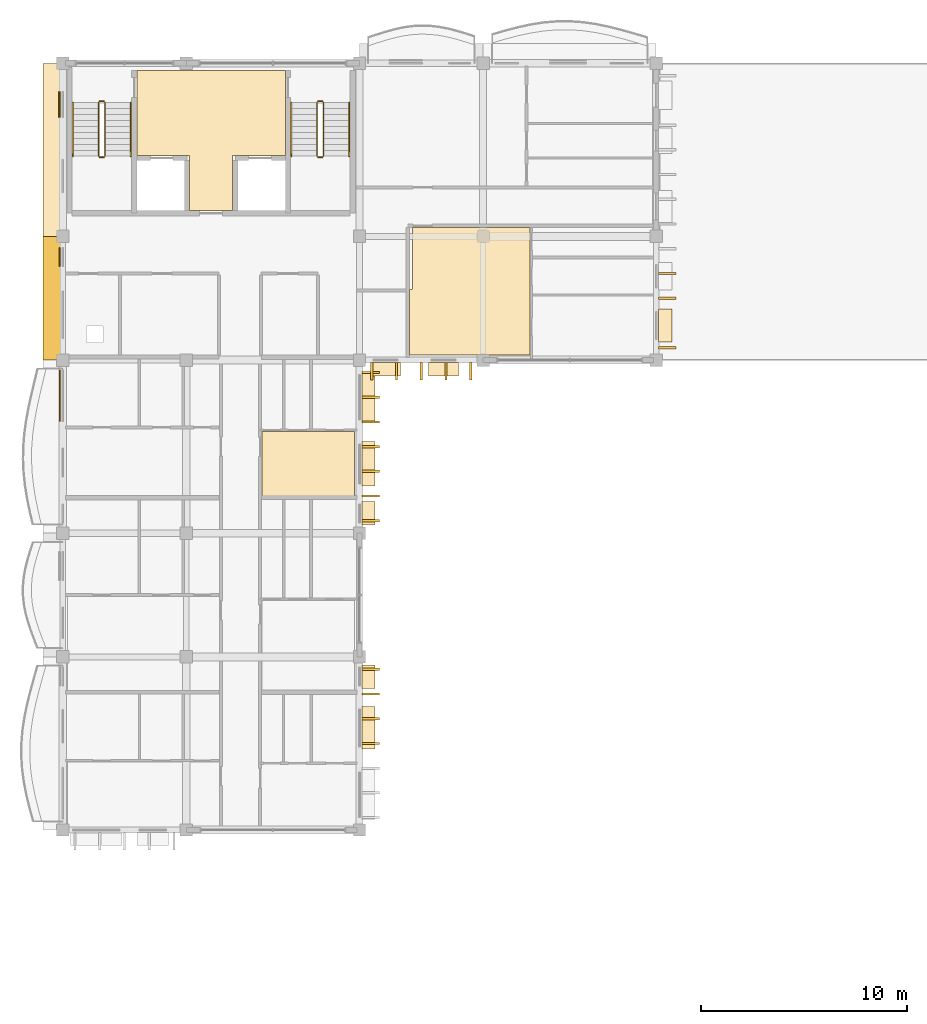
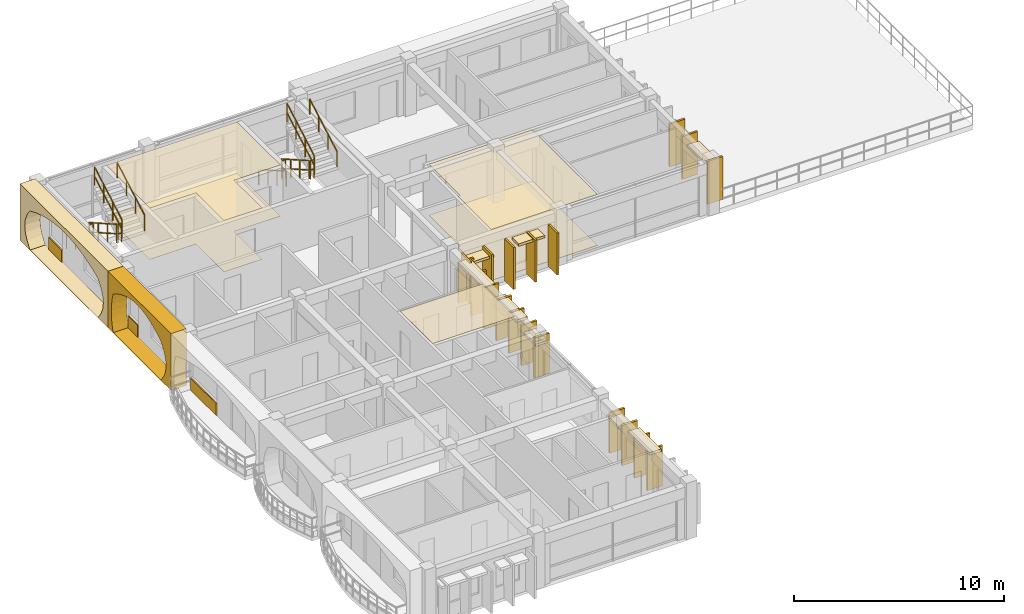
# One storey, part 23 of 31: 37 coverings, 12 railings.
"""IFC4 building model written with IfcOpenShell, lengths in metres."""

from ifc_helpers import new_model, si_unit, direction, frame, origin, origin_2d, place, context, subcontext, project, spatial, polyline, rectangle, outline, extrude, material, layer, layer_set, type_object, element, save


model = new_model("IFC4")

# Units and contexts
model_context = context("Model", 3, precision=1e-05, world=origin(), true_north=direction((0.0, 1.0)))
body_context = subcontext(model_context, "Body", "Model", "MODEL_VIEW")
ifc_project = project(units=[si_unit("LENGTHUNIT", "METRE"), si_unit("AREAUNIT", "SQUARE_METRE"), si_unit("VOLUMEUNIT", "CUBIC_METRE"), si_unit("PLANEANGLEUNIT", "RADIAN"), si_unit("MASSUNIT", "GRAM", prefix="KILO"), si_unit("THERMODYNAMICTEMPERATUREUNIT", "KELVIN")], contexts=[model_context])

# Site, building, storey
site_placement = place(None, origin())
site = spatial("IfcSite", under=ifc_project, at=site_placement, CompositionType="ELEMENT")
building_placement = place(site_placement, origin())
building = spatial("IfcBuilding", under=site, at=building_placement, Name="Thalorik Housing Commons", CompositionType="ELEMENT")
storey_placement = place(building_placement, frame((0.0, 0.0, 37.800048828125)))
storey = spatial("IfcBuildingStorey", under=building, at=storey_placement, Name="L11", CompositionType="ELEMENT", Elevation=37.800048828125)

# Coverings
ifc_material_1 = material(Name="Cobalt blue glazed ceramic facade tile panel", Category="masonry")
ifc_layer_1 = layer(ifc_material_1, 0.06005859375, Name="Cobalt blue glazed ceramic facade tile panel", Category="masonry")
ifc_layer_set_1 = layer_set([ifc_layer_1], Name="Cobalt blue glazed ceramic facade tile panel")
covering_type_1 = type_object("IfcCoveringType", Name="ARC-CLD-BLU-60", PredefinedType="CLADDING", material=ifc_layer_set_1)
covering_1_placement = place(storey_placement, frame((8.25244140625, 107.472412109375, 0.0498046875), z_axis=(0.0, 0.0, 1.0), x_axis=(0.0, -1.0, 0.0)))
element("IfcCovering", 1, at=covering_1_placement, inside=storey, type_object=covering_type_1, Name="L11 De Stijl Recessed Window Spandrel 1139", PredefinedType="CLADDING", context=body_context, shape_type="SweptSolid", body=[
    extrude(rectangle(XDim=2.47998046875, YDim=0.06005859375, at=origin_2d()), origin(), (0.0, 0.0, 1.0), 0.699951171875),
])
ifc_material_2 = material(Name="Precast concrete C40/50", Category="concrete")
ifc_layer_2 = layer(ifc_material_2, 0.85009765625, Name="Precast concrete C40/50", Category="concrete")
ifc_layer_set_2 = layer_set([ifc_layer_2], Name="Precast concrete C40/50")
covering_type_2 = type_object("IfcCoveringType", Name="ARC-CLD-CUSH-850", PredefinedType="CLADDING", material=ifc_layer_set_2)
covering_2_placement = place(storey_placement, frame((7.862548828125, 119.39990234375, 0.0), z_axis=(0.0, 0.0, 1.0), x_axis=(0.0, -1.0, 0.0)))
element("IfcCovering", 2, at=covering_2_placement, inside=storey, type_object=covering_type_2, Name="L11 White Precast Curved Cushion Bay Frame 1134", PredefinedType="CLADDING", context=body_context, shape_type="SweptSolid", body=[
    extrude(outline(polyline([(-4.199951171875, 0.0), (4.199951171875, 0.0), (4.199951171875, 3.300048828125), (-4.199951171875, 3.300048828125), (-4.199951171875, 0.0)]), holes=[polyline([(3.239990234375, 0.02490234375), (3.523193359375, 0.404296875), (3.693359375, 0.783203125), (3.75, 1.16259765625), (3.693359375, 1.541748046875), (3.523193359375, 1.9208984375), (3.239990234375, 2.300048828125), (2.699951171875, 2.525390625), (2.159912109375, 2.7021484375), (1.6201171875, 2.845458984375), (1.080078125, 2.951904296875), (0.5400390625, 3.017822265625), (0.0, 3.0400390625), (-0.5400390625, 3.017822265625), (-1.080078125, 2.951904296875), (-1.6201171875, 2.845458984375), (-2.159912109375, 2.7021484375), (-2.699951171875, 2.525390625), (-3.239990234375, 2.300048828125), (-3.523193359375, 1.9208984375), (-3.693359375, 1.541748046875), (-3.75, 1.16259765625), (-3.693359375, 0.783203125), (-3.523193359375, 0.404296875), (-3.239990234375, 0.02490234375), (3.239990234375, 0.02490234375)])]), frame((0.0, 0.425048828125, 0.0), z_axis=(0.0, -1.0, 0.0), x_axis=(1.0, 0.0, 0.0)), (0.0, 0.0, 1.0), 0.85009765625),
])
covering_3_placement = place(storey_placement, frame((7.862548828125, 112.199951171875, 0.0), z_axis=(0.0, 0.0, 1.0), x_axis=(0.0, -1.0, 0.0)))
element("IfcCovering", 3, at=covering_3_placement, inside=storey, type_object=covering_type_2, Name="L11 White Precast Curved Cushion Bay Frame 1136", PredefinedType="CLADDING", context=body_context, shape_type="SweptSolid", body=[
    extrude(outline(polyline([(-3.0, 0.0), (3.0, 0.0), (3.0, 3.300048828125), (-3.0, 3.300048828125), (-3.0, 0.0)]), holes=[polyline([(2.0400390625, 0.02490234375), (2.3232421875, 0.40087890625), (2.493408203125, 0.776611328125), (2.550048828125, 1.152587890625), (2.493408203125, 1.5283203125), (2.3232421875, 1.904296875), (2.0400390625, 2.280029296875), (1.661376953125, 2.51123046875), (1.282470703125, 2.693115234375), (0.90380859375, 2.840087890625), (0.52490234375, 2.94970703125), (0.146240234375, 3.01708984375), (-0.232421875, 3.0400390625), (-0.611328125, 3.01708984375), (-0.989990234375, 2.94970703125), (-1.36865234375, 2.840087890625), (-1.74755859375, 2.693115234375), (-2.126220703125, 2.51123046875), (-2.5048828125, 2.280029296875), (-2.609619140625, 1.904296875), (-2.672119140625, 1.5283203125), (-2.693115234375, 1.152587890625), (-2.672119140625, 0.776611328125), (-2.609619140625, 0.40087890625), (-2.5048828125, 0.02490234375), (2.0400390625, 0.02490234375)])]), frame((0.0, 0.425048828125, 0.0), z_axis=(0.0, -1.0, 0.0), x_axis=(1.0, 0.0, 0.0)), (0.0, 0.0, 1.0), 0.85009765625),
])
ifc_layer_3 = layer(ifc_material_2, 0.85009765625, Name="Precast concrete C40/50", Category="concrete")
ifc_layer_set_3 = layer_set([ifc_layer_3], Name="Precast concrete C40/50")
covering_type_3 = type_object("IfcCoveringType", Name="ARC-CLD-FIN-850", PredefinedType="CLADDING", material=ifc_layer_set_3)
for number, where, z_axis, x_axis, name in (
    (4, (23.39990234375, 108.66259765625, 0.0400390625), (0.0, 0.0, 1.0), (1.0, 0.0, 0.0), "L11 Courtyard Precast Vertical Brise-Soleil Fin 1108"),
    (5, (24.60009765625, 108.66259765625, 0.0400390625), (0.0, 0.0, 1.0), (1.0, 0.0, 0.0), "L11 Courtyard Precast Vertical Brise-Soleil Fin 1109"),
    (6, (25.800048828125, 108.66259765625, 0.0400390625), (0.0, 0.0, 1.0), (1.0, 0.0, 0.0), "L11 Courtyard Precast Vertical Brise-Soleil Fin 1110"),
    (7, (27.0, 108.66259765625, 0.0400390625), (0.0, 0.0, 1.0), (1.0, 0.0, 0.0), "L11 Courtyard Precast Vertical Brise-Soleil Fin 1111"),
    (8, (28.199951171875, 108.66259765625, 0.0400390625), (0.0, 0.0, 1.0), (1.0, 0.0, 0.0), "L11 Courtyard Precast Vertical Brise-Soleil Fin 1112"),
):
    element("IfcCovering", number, at=place(storey_placement, frame(where, z_axis=z_axis, x_axis=x_axis)), inside=storey, type_object=covering_type_3, Name=name, PredefinedType="CLADDING", context=body_context, shape_type="SweptSolid", body=[
        extrude(rectangle(XDim=0.110107421875, YDim=0.85009765625, at=origin_2d()), origin(), (0.0, 0.0, 1.0), 2.445068359375),
    ])
for number, where, z_axis, x_axis, name in (
    (9, (37.737548828125, 109.800048828125, 0.039794921875), (0.0, 0.0, 1.0), (0.0, 1.0, 0.0), "L11 Courtyard Precast Vertical Brise-Soleil Fin 1115"),
    (10, (37.737548828125, 112.199951171875, 0.039794921875), (0.0, 0.0, 1.0), (0.0, 1.0, 0.0), "L11 Courtyard Precast Vertical Brise-Soleil Fin 1116"),
    (11, (37.737548828125, 113.39990234375, 0.039794921875), (0.0, 0.0, 1.0), (0.0, 1.0, 0.0), "L11 Courtyard Precast Vertical Brise-Soleil Fin 1117"),
):
    element("IfcCovering", number, at=place(storey_placement, frame(where, z_axis=z_axis, x_axis=x_axis)), inside=storey, type_object=covering_type_3, Name=name, PredefinedType="CLADDING", context=body_context, shape_type="SweptSolid", body=[
        extrude(rectangle(XDim=0.110107421875, YDim=0.85009765625, at=origin_2d()), origin(), (0.0, 0.0, 1.0), 2.4951171875),
    ])
for number, where, z_axis, x_axis, name in (
    (12, (23.33740234375, 90.60009765625, 0.0400390625), (0.0, 0.0, 1.0), (0.0, 1.0, 0.0), "L11 Courtyard Precast Vertical Brise-Soleil Fin 1154"),
    (13, (23.33740234375, 91.800048828125, 0.0400390625), (0.0, 0.0, 1.0), (0.0, 1.0, 0.0), "L11 Courtyard Precast Vertical Brise-Soleil Fin 1155"),
    (14, (23.33740234375, 93.0, 0.0400390625), (0.0, 0.0, 1.0), (0.0, 1.0, 0.0), "L11 Courtyard Precast Vertical Brise-Soleil Fin 1156"),
    (15, (23.33740234375, 94.199951171875, 0.0400390625), (0.0, 0.0, 1.0), (0.0, 1.0, 0.0), "L11 Courtyard Precast Vertical Brise-Soleil Fin 1157"),
    (16, (23.33740234375, 101.39990234375, 0.0400390625), (0.0, 0.0, 1.0), (0.0, 1.0, 0.0), "L11 Courtyard Precast Vertical Brise-Soleil Fin 1161"),
    (17, (23.33740234375, 102.60009765625, 0.0400390625), (0.0, 0.0, 1.0), (0.0, 1.0, 0.0), "L11 Courtyard Precast Vertical Brise-Soleil Fin 1162"),
    (18, (23.33740234375, 103.800048828125, 0.0400390625), (0.0, 0.0, 1.0), (0.0, 1.0, 0.0), "L11 Courtyard Precast Vertical Brise-Soleil Fin 1163"),
    (19, (23.33740234375, 105.0, 0.0400390625), (0.0, 0.0, 1.0), (0.0, 1.0, 0.0), "L11 Courtyard Precast Vertical Brise-Soleil Fin 1164"),
    (20, (23.33740234375, 106.199951171875, 0.0400390625), (0.0, 0.0, 1.0), (0.0, 1.0, 0.0), "L11 Courtyard Precast Vertical Brise-Soleil Fin 1165"),
    (21, (23.33740234375, 107.39990234375, 0.0400390625), (0.0, 0.0, 1.0), (0.0, 1.0, 0.0), "L11 Courtyard Precast Vertical Brise-Soleil Fin 1166"),
    (22, (23.33740234375, 108.60009765625, 0.0400390625), (0.0, 0.0, 1.0), (0.0, 1.0, 0.0), "L11 Courtyard Precast Vertical Brise-Soleil Fin 1167"),
):
    element("IfcCovering", number, at=place(storey_placement, frame(where, z_axis=z_axis, x_axis=x_axis)), inside=storey, type_object=covering_type_3, Name=name, PredefinedType="CLADDING", context=body_context, shape_type="SweptSolid", body=[
        extrude(rectangle(XDim=0.110107421875, YDim=0.85009765625, at=origin_2d()), origin(), (0.0, 0.0, 1.0), 2.344970703125),
    ])
ifc_layer_4 = layer(ifc_material_2, 0.64990234375, Name="Precast concrete C40/50", Category="concrete")
ifc_layer_set_4 = layer_set([ifc_layer_4], Name="Precast concrete C40/50")
covering_type_4 = type_object("IfcCoveringType", Name="ARC-CLD-HOOD-650", PredefinedType="CLADDING", material=ifc_layer_set_4)
for number, where, z_axis, x_axis, name in (
    (23, (24.070068359375, 108.762451171875, 2.14013671875), (0.0, 0.0, 1.0), (1.0, 0.0, 0.0), "L11 Courtyard Precast Window Sun-Hood 1113"),
    (24, (26.8798828125, 108.762451171875, 2.2900390625), (0.0, 0.0, 1.0), (1.0, 0.0, 0.0), "L11 Courtyard Precast Window Sun-Hood 1114"),
):
    element("IfcCovering", number, at=place(storey_placement, frame(where, z_axis=z_axis, x_axis=x_axis)), inside=storey, type_object=covering_type_4, Name=name, PredefinedType="CLADDING", context=body_context, shape_type="SweptSolid", body=[
        extrude(rectangle(XDim=1.43994140625, YDim=0.64990234375, at=origin_2d()), origin(), (0.0, 0.0, 1.0), 0.139892578125),
    ])
covering_4_placement = place(storey_placement, frame((37.637451171875, 110.87548828125, 2.2099609375), z_axis=(0.0, 0.0, 1.0), x_axis=(0.0, 1.0, 0.0)))
element("IfcCovering", 25, at=covering_4_placement, inside=storey, type_object=covering_type_4, Name="L11 Courtyard Precast Window Sun-Hood 1119", PredefinedType="CLADDING", context=body_context, shape_type="SweptSolid", body=[
    extrude(rectangle(XDim=1.590087890625, YDim=0.64990234375, at=origin_2d()), origin(), (0.0, 0.0, 1.0), 0.139892578125),
])
covering_5_placement = place(storey_placement, frame((23.237548828125, 91.35888671875, 2.25), z_axis=(0.0, 0.0, 1.0), x_axis=(0.0, 1.0, 0.0)))
element("IfcCovering", 26, at=covering_5_placement, inside=storey, type_object=covering_type_4, Name="L11 Courtyard Precast Window Sun-Hood 1159", PredefinedType="CLADDING", context=body_context, shape_type="SweptSolid", body=[
    extrude(rectangle(XDim=2.06005859375, YDim=0.64990234375, at=origin_2d()), origin(), (0.0, 0.0, 1.0), 0.139892578125),
])
for number, where, z_axis, x_axis, name in (
    (27, (23.237548828125, 93.844970703125, 1.990234375), (0.0, 0.0, 1.0), (0.0, 1.0, 0.0), "L11 Courtyard Precast Window Sun-Hood 1160"),
    (28, (23.237548828125, 101.760009765625, 1.990234375), (0.0, 0.0, 1.0), (0.0, 1.0, 0.0), "L11 Courtyard Precast Window Sun-Hood 1168"),
):
    element("IfcCovering", number, at=place(storey_placement, frame(where, z_axis=z_axis, x_axis=x_axis)), inside=storey, type_object=covering_type_4, Name=name, PredefinedType="CLADDING", context=body_context, shape_type="SweptSolid", body=[
        extrude(rectangle(XDim=1.139892578125, YDim=0.64990234375, at=origin_2d()), origin(), (0.0, 0.0, 1.0), 0.139892578125),
    ])
covering_6_placement = place(storey_placement, frame((23.237548828125, 104.164306640625, 2.22998046875), z_axis=(0.0, 0.0, 1.0), x_axis=(0.0, 1.0, 0.0)))
element("IfcCovering", 29, at=covering_6_placement, inside=storey, type_object=covering_type_4, Name="L11 Courtyard Precast Window Sun-Hood 1169", PredefinedType="CLADDING", context=body_context, shape_type="SweptSolid", body=[
    extrude(rectangle(XDim=2.159912109375, YDim=0.64990234375, at=origin_2d()), origin(), (0.0, 0.0, 1.0), 0.139892578125),
])
covering_7_placement = place(storey_placement, frame((23.237548828125, 107.404296875, 2.27001953125), z_axis=(0.0, 0.0, 1.0), x_axis=(0.0, 1.0, 0.0)))
element("IfcCovering", 30, at=covering_7_placement, inside=storey, type_object=covering_type_4, Name="L11 Courtyard Precast Window Sun-Hood 1170", PredefinedType="CLADDING", context=body_context, shape_type="SweptSolid", body=[
    extrude(rectangle(XDim=2.419921875, YDim=0.64990234375, at=origin_2d()), origin(), (0.0, 0.0, 1.0), 0.139892578125),
])
ifc_material_3 = material(Name="Terracotta red mineral fibre-cement panel", Category="masonry")
ifc_layer_5 = layer(ifc_material_3, 0.054931640625, Name="Terracotta red mineral fibre-cement panel", Category="masonry")
ifc_layer_set_5 = layer_set([ifc_layer_5], Name="Terracotta red mineral fibre-cement panel")
covering_type_5 = type_object("IfcCoveringType", Name="ARC-CLD-RED-55", PredefinedType="CLADDING", material=ifc_layer_set_5)
covering_8_placement = place(storey_placement, frame((8.2548828125, 114.205078125, 0.0498046875), z_axis=(0.0, 0.0, 1.0), x_axis=(0.0, -1.0, 0.0)))
element("IfcCovering", 31, at=covering_8_placement, inside=storey, type_object=covering_type_5, Name="L11 De Stijl Recessed Window Spandrel 1137", PredefinedType="CLADDING", context=body_context, shape_type="SweptSolid", body=[
    extrude(rectangle(XDim=0.89990234375, YDim=0.054931640625, at=origin_2d()), origin(), (0.0, 0.0, 1.0), 0.699951171875),
])
ifc_material_4 = material(Name="Mineral ochre architectural terracotta panel", Category="masonry")
ifc_layer_6 = layer(ifc_material_4, 0.06494140625, Name="Mineral ochre architectural terracotta panel", Category="masonry")
ifc_layer_set_6 = layer_set([ifc_layer_6], Name="Mineral ochre architectural terracotta panel")
covering_type_6 = type_object("IfcCoveringType", Name="ARC-CLD-YEL-65", PredefinedType="CLADDING", material=ifc_layer_set_6)
covering_9_placement = place(storey_placement, frame((8.25, 121.603759765625, 0.0498046875), z_axis=(0.0, 0.0, 1.0), x_axis=(0.0, -1.0, 0.0)))
element("IfcCovering", 32, at=covering_9_placement, inside=storey, type_object=covering_type_6, Name="L11 De Stijl Recessed Window Spandrel 1135", PredefinedType="CLADDING", context=body_context, shape_type="SweptSolid", body=[
    extrude(rectangle(XDim=1.25, YDim=0.06494140625, at=origin_2d()), origin(), (0.0, 0.0, 1.0), 0.699951171875),
])
ifc_material_5 = material(Name="Perforated acoustic gypsum ceiling board")
ifc_layer_7 = layer(ifc_material_5, 0.014892578125, Name="Perforated acoustic gypsum ceiling board")
ifc_layer_set_7 = layer_set([ifc_layer_7], Name="Perforated acoustic gypsum ceiling board")
covering_type_7 = type_object("IfcCoveringType", Name="ARC-COV-CEIL-01", PredefinedType="CEILING", material=ifc_layer_set_7)
covering_10_placement = place(storey_placement, frame((0.0, 0.0, 2.98486328125)))
element("IfcCovering", 33, at=covering_10_placement, inside=storey, type_object=covering_type_7, Name="L11 Block A Firefighting Lift Lobby Suspended Ceiling", PredefinedType="CEILING", context=body_context, shape_type="SweptSolid", body=[
    extrude(outline(polyline([(14.550048828125, 116.449951171875), (16.64990234375, 116.449951171875), (16.650146484375, 119.1201171875), (19.199951171875, 119.1201171875), (19.199951171875, 123.25), (12.0, 123.25), (12.0, 119.1201171875), (14.550048828125, 119.1201171875), (14.550048828125, 116.449951171875)])), origin(), (0.0, 0.0, 1.0), 0.01513671875),
])
ifc_material_6 = material(Name="Slatted timber acoustic hall baffle ceiling", Category="wood")
ifc_layer_8 = layer(ifc_material_6, 0.02197265625, Name="Slatted timber acoustic hall baffle ceiling", Category="wood")
ifc_layer_set_8 = layer_set([ifc_layer_8], Name="Slatted timber acoustic hall baffle ceiling")
covering_type_8 = type_object("IfcCoveringType", Name="ARC-COV-CEIL-03", PredefinedType="CEILING", material=ifc_layer_set_8)
covering_11_placement = place(storey_placement, frame((0.0, 0.0, 2.97802734375)))
element("IfcCovering", 34, at=covering_11_placement, inside=storey, type_object=covering_type_8, Name="L11 Living Dining Room Suspended Ceiling", PredefinedType="CEILING", context=body_context, shape_type="SweptSolid", body=[
    extrude(outline(polyline([(22.56005859375, 105.728759765625), (18.06005859375, 105.728759765625), (18.06005859375, 102.610107421875), (22.56005859375, 102.610107421875), (22.56005859375, 105.728759765625)])), origin(), (0.0, 0.0, 1.0), 0.02197265625),
])
ifc_material_7 = material(Name="Fire-rated calcium silicate corridor ceiling")
ifc_layer_9 = layer(ifc_material_7, 0.030029296875, Name="Fire-rated calcium silicate corridor ceiling")
ifc_layer_set_9 = layer_set([ifc_layer_9], Name="Fire-rated calcium silicate corridor ceiling")
covering_type_9 = type_object("IfcCoveringType", Name="ARC-COV-CEIL-05", PredefinedType="CEILING", material=ifc_layer_set_9)
covering_12_placement = place(storey_placement, frame((0.0, 0.0, 2.969970703125)))
element("IfcCovering", 35, at=covering_12_placement, inside=storey, type_object=covering_type_9, Name="L11 Living Dining Room Suspended Ceiling", PredefinedType="CEILING", context=body_context, shape_type="SweptSolid", body=[
    extrude(outline(polyline([(25.22998046875, 109.43994140625), (31.074951171875, 109.43994140625), (31.074951171875, 115.639892578125), (25.364990234375, 115.639892578125), (25.36328125, 112.642822265625), (25.349853515625, 112.635009765625), (25.22998046875, 112.635009765625), (25.22998046875, 109.43994140625)])), origin(), (0.0, 0.0, 1.0), 0.030029296875),
])
ifc_material_8 = material(Name="Glazed Recife ceramic apartment floor tile")
ifc_layer_10 = layer(ifc_material_8, 0.011962890625, Name="Glazed Recife ceramic apartment floor tile")
ifc_layer_set_10 = layer_set([ifc_layer_10], Name="Glazed Recife ceramic apartment floor tile")
covering_type_10 = type_object("IfcCoveringType", Name="ARC-COV-FLR-01", PredefinedType="FLOORING", material=ifc_layer_set_10)
covering_13_placement = place(storey_placement, origin())
element("IfcCovering", 36, at=covering_13_placement, inside=storey, type_object=covering_type_10, Name="L11 Block A Firefighting Lift Lobby Flooring", PredefinedType="FLOORING", context=body_context, shape_type="SweptSolid", body=[
    extrude(outline(polyline([(14.550048828125, 116.449951171875), (16.64990234375, 116.449951171875), (16.650146484375, 119.1201171875), (19.199951171875, 119.1201171875), (19.199951171875, 123.25), (12.0, 123.25), (12.0, 119.1201171875), (14.550048828125, 119.1201171875), (14.550048828125, 116.449951171875)])), origin(), (0.0, 0.0, 1.0), 0.011962890625),
])
ifc_material_9 = material(Name="Heavy-duty porcelain metro vestibule tile")
ifc_layer_11 = layer(ifc_material_9, 0.028076171875, Name="Heavy-duty porcelain metro vestibule tile")
ifc_layer_set_11 = layer_set([ifc_layer_11], Name="Heavy-duty porcelain metro vestibule tile")
covering_type_11 = type_object("IfcCoveringType", Name="ARC-COV-FLR-05", PredefinedType="FLOORING", material=ifc_layer_set_11)
covering_14_placement = place(storey_placement, origin())
element("IfcCovering", 37, at=covering_14_placement, inside=storey, type_object=covering_type_11, Name="L11 Living Dining Room Flooring", PredefinedType="FLOORING", context=body_context, shape_type="SweptSolid", body=[
    extrude(outline(polyline([(25.22998046875, 109.43994140625), (31.074951171875, 109.43994140625), (31.074951171875, 115.639892578125), (25.364990234375, 115.639892578125), (25.36328125, 112.642822265625), (25.349853515625, 112.635009765625), (25.22998046875, 112.635009765625), (25.22998046875, 109.43994140625)])), origin(), (0.0, 0.0, 1.0), 0.02783203125),
])

# Railings
ifc_material_10 = material(Name="Steel S355", Category="steel")
railing_type_1 = type_object("IfcRailingType", Name="ARC-RL-STR-GRD110", PredefinedType="GUARDRAIL", material=ifc_material_10)
railing_1_placement = place(storey_placement, frame((10.14990234375, 121.699951171875, 0.1650390625)))
element("IfcRailing", 38, at=railing_1_placement, inside=storey, type_object=railing_type_1, Name="L11 ST-A1 stair guard 1", PredefinedType="GUARDRAIL", context=body_context, shape_type="SweptSolid", body=[
    extrude(rectangle(XDim=0.048095703125, YDim=0.048095703125, at=origin_2d()), frame((0.0, 0.0, 1.076171875), z_axis=(0.0, -0.869172267526, 0.494509422927), x_axis=(1.0, 0.0, 0.0)), (0.0, 0.0, 1.0), 3.002685546875),
    extrude(rectangle(XDim=0.048095703125, YDim=0.048095703125, at=origin_2d()), frame((0.0, 0.0, 0.52587890625), z_axis=(0.0, -0.869172267526, 0.494509422927), x_axis=(1.0, 0.0, 0.0)), (0.0, 0.0, 1.0), 3.002685546875),
    extrude(rectangle(XDim=0.0419921875, YDim=0.0419921875, at=origin_2d()), origin(), (0.0, 0.0, 1.0), 1.052001953125),
    extrude(rectangle(XDim=0.0419921875, YDim=0.0419921875, at=origin_2d()), frame((0.0, -0.869873046875, 0.494873046875)), (0.0, 0.0, 1.0), 1.052001953125),
    extrude(rectangle(XDim=0.0419921875, YDim=0.0419921875, at=origin_2d()), frame((0.0, -1.739990234375, 0.989990234375)), (0.0, 0.0, 1.0), 1.052001953125),
    extrude(rectangle(XDim=0.0419921875, YDim=0.0419921875, at=origin_2d()), frame((0.0, -2.60986328125, 1.48486328125)), (0.0, 0.0, 1.0), 1.052001953125),
])
railing_2_placement = place(storey_placement, frame((10.199951171875, 119.0400390625, 1.64990234375)))
element("IfcRailing", 39, at=railing_2_placement, inside=storey, type_object=railing_type_1, Name="L11 ST-A1 stair guard 2", PredefinedType="GUARDRAIL", context=body_context, shape_type="SweptSolid", body=[
    extrude(rectangle(XDim=0.048095703125, YDim=0.048095703125, at=origin_2d()), frame((0.0, 0.0, 1.076171875), z_axis=(1.0, 0.0, 0.0), x_axis=(0.0, 1.0, 0.0)), (0.0, 0.0, 1.0), 0.199951171875),
    extrude(rectangle(XDim=0.048095703125, YDim=0.048095703125, at=origin_2d()), frame((0.0, 0.0, 0.52587890625), z_axis=(1.0, 0.0, 0.0), x_axis=(0.0, 1.0, 0.0)), (0.0, 0.0, 1.0), 0.199951171875),
    extrude(rectangle(XDim=0.0419921875, YDim=0.0419921875, at=origin_2d()), origin(), (0.0, 0.0, 1.0), 1.052001953125),
    extrude(rectangle(XDim=0.0419921875, YDim=0.0419921875, at=origin_2d()), frame((0.199951171875, 0.0, 0.0)), (0.0, 0.0, 1.0), 1.052001953125),
])
railing_3_placement = place(storey_placement, frame((10.449951171875, 119.090087890625, 1.81494140625)))
element("IfcRailing", 40, at=railing_3_placement, inside=storey, type_object=railing_type_1, Name="L11 ST-A1 stair guard 3", PredefinedType="GUARDRAIL", context=body_context, shape_type="SweptSolid", body=[
    extrude(rectangle(XDim=0.048095703125, YDim=0.048095703125, at=origin_2d()), frame((0.0, 0.0, 1.076171875), z_axis=(0.0, 0.869137319866, 0.494570843475), x_axis=(-1.0, 0.0, 0.0)), (0.0, 0.0, 1.0), 3.0029296875),
    extrude(rectangle(XDim=0.048095703125, YDim=0.048095703125, at=origin_2d()), frame((0.0, 0.0, 0.52587890625), z_axis=(0.0, 0.869137319866, 0.494570843475), x_axis=(-1.0, 0.0, 0.0)), (0.0, 0.0, 1.0), 3.0029296875),
    extrude(rectangle(XDim=0.0419921875, YDim=0.0419921875, at=origin_2d()), origin(), (0.0, 0.0, 1.0), 1.052001953125),
    extrude(rectangle(XDim=0.0419921875, YDim=0.0419921875, at=origin_2d()), frame((0.0, 0.869873046875, 0.4951171875)), (0.0, 0.0, 1.0), 1.052001953125),
    extrude(rectangle(XDim=0.0419921875, YDim=0.0419921875, at=origin_2d()), frame((0.0, 1.739990234375, 0.989990234375)), (0.0, 0.0, 1.0), 1.052001953125),
    extrude(rectangle(XDim=0.0419921875, YDim=0.0419921875, at=origin_2d()), frame((0.0, 2.60986328125, 1.485107421875)), (0.0, 0.0, 1.0), 1.052001953125),
])
railing_4_placement = place(storey_placement, frame((10.199951171875, 121.75, 0.0)))
element("IfcRailing", 41, at=railing_4_placement, inside=storey, type_object=railing_type_1, Name="L11 ST-A1 stair guard 4", PredefinedType="GUARDRAIL", context=body_context, shape_type="SweptSolid", body=[
    extrude(rectangle(XDim=0.048095703125, YDim=0.048095703125, at=origin_2d()), frame((0.0, 0.0, 1.076171875), z_axis=(1.0, 0.0, 0.0), x_axis=(0.0, 1.0, 0.0)), (0.0, 0.0, 1.0), 0.199951171875),
    extrude(rectangle(XDim=0.048095703125, YDim=0.048095703125, at=origin_2d()), frame((0.0, 0.0, 0.52587890625), z_axis=(1.0, 0.0, 0.0), x_axis=(0.0, 1.0, 0.0)), (0.0, 0.0, 1.0), 0.199951171875),
    extrude(rectangle(XDim=0.0419921875, YDim=0.0419921875, at=origin_2d()), origin(), (0.0, 0.0, 1.0), 1.052001953125),
    extrude(rectangle(XDim=0.0419921875, YDim=0.0419921875, at=origin_2d()), frame((0.199951171875, 0.0, 0.0)), (0.0, 0.0, 1.0), 1.052001953125),
])
railing_5_placement = place(storey_placement, frame((20.75, 121.699951171875, 0.1650390625)))
element("IfcRailing", 42, at=railing_5_placement, inside=storey, type_object=railing_type_1, Name="L11 ST-A2 stair guard 1", PredefinedType="GUARDRAIL", context=body_context, shape_type="SweptSolid", body=[
    extrude(rectangle(XDim=0.048095703125, YDim=0.048095703125, at=origin_2d()), frame((0.0, 0.0, 1.076171875), z_axis=(0.0, -0.869172267526, 0.494509422927), x_axis=(1.0, 0.0, 0.0)), (0.0, 0.0, 1.0), 3.002685546875),
    extrude(rectangle(XDim=0.048095703125, YDim=0.048095703125, at=origin_2d()), frame((0.0, 0.0, 0.52587890625), z_axis=(0.0, -0.869172267526, 0.494509422927), x_axis=(1.0, 0.0, 0.0)), (0.0, 0.0, 1.0), 3.002685546875),
    extrude(rectangle(XDim=0.0419921875, YDim=0.0419921875, at=origin_2d()), origin(), (0.0, 0.0, 1.0), 1.052001953125),
    extrude(rectangle(XDim=0.0419921875, YDim=0.0419921875, at=origin_2d()), frame((0.0, -0.869873046875, 0.494873046875)), (0.0, 0.0, 1.0), 1.052001953125),
    extrude(rectangle(XDim=0.0419921875, YDim=0.0419921875, at=origin_2d()), frame((0.0, -1.739990234375, 0.989990234375)), (0.0, 0.0, 1.0), 1.052001953125),
    extrude(rectangle(XDim=0.0419921875, YDim=0.0419921875, at=origin_2d()), frame((0.0, -2.60986328125, 1.48486328125)), (0.0, 0.0, 1.0), 1.052001953125),
])
railing_6_placement = place(storey_placement, frame((20.800048828125, 119.0400390625, 1.64990234375)))
element("IfcRailing", 43, at=railing_6_placement, inside=storey, type_object=railing_type_1, Name="L11 ST-A2 stair guard 2", PredefinedType="GUARDRAIL", context=body_context, shape_type="SweptSolid", body=[
    extrude(rectangle(XDim=0.048095703125, YDim=0.048095703125, at=origin_2d()), frame((0.0, 0.0, 1.076171875), z_axis=(1.0, 0.0, 0.0), x_axis=(0.0, 1.0, 0.0)), (0.0, 0.0, 1.0), 0.199951171875),
    extrude(rectangle(XDim=0.048095703125, YDim=0.048095703125, at=origin_2d()), frame((0.0, 0.0, 0.52587890625), z_axis=(1.0, 0.0, 0.0), x_axis=(0.0, 1.0, 0.0)), (0.0, 0.0, 1.0), 0.199951171875),
    extrude(rectangle(XDim=0.0419921875, YDim=0.0419921875, at=origin_2d()), origin(), (0.0, 0.0, 1.0), 1.052001953125),
    extrude(rectangle(XDim=0.0419921875, YDim=0.0419921875, at=origin_2d()), frame((0.199951171875, 0.0, 0.0)), (0.0, 0.0, 1.0), 1.052001953125),
])
railing_7_placement = place(storey_placement, frame((21.050048828125, 119.090087890625, 1.81494140625)))
element("IfcRailing", 44, at=railing_7_placement, inside=storey, type_object=railing_type_1, Name="L11 ST-A2 stair guard 3", PredefinedType="GUARDRAIL", context=body_context, shape_type="SweptSolid", body=[
    extrude(rectangle(XDim=0.048095703125, YDim=0.048095703125, at=origin_2d()), frame((0.0, 0.0, 1.076171875), z_axis=(0.0, 0.869137319866, 0.494570843475), x_axis=(-1.0, 0.0, 0.0)), (0.0, 0.0, 1.0), 3.0029296875),
    extrude(rectangle(XDim=0.048095703125, YDim=0.048095703125, at=origin_2d()), frame((0.0, 0.0, 0.52587890625), z_axis=(0.0, 0.869137319866, 0.494570843475), x_axis=(-1.0, 0.0, 0.0)), (0.0, 0.0, 1.0), 3.0029296875),
    extrude(rectangle(XDim=0.0419921875, YDim=0.0419921875, at=origin_2d()), origin(), (0.0, 0.0, 1.0), 1.052001953125),
    extrude(rectangle(XDim=0.0419921875, YDim=0.0419921875, at=origin_2d()), frame((0.0, 0.869873046875, 0.4951171875)), (0.0, 0.0, 1.0), 1.052001953125),
    extrude(rectangle(XDim=0.0419921875, YDim=0.0419921875, at=origin_2d()), frame((0.0, 1.739990234375, 0.989990234375)), (0.0, 0.0, 1.0), 1.052001953125),
    extrude(rectangle(XDim=0.0419921875, YDim=0.0419921875, at=origin_2d()), frame((0.0, 2.60986328125, 1.485107421875)), (0.0, 0.0, 1.0), 1.052001953125),
])
railing_8_placement = place(storey_placement, frame((20.800048828125, 121.75, 0.0)))
element("IfcRailing", 45, at=railing_8_placement, inside=storey, type_object=railing_type_1, Name="L11 ST-A2 stair guard 4", PredefinedType="GUARDRAIL", context=body_context, shape_type="SweptSolid", body=[
    extrude(rectangle(XDim=0.048095703125, YDim=0.048095703125, at=origin_2d()), frame((0.0, 0.0, 1.076171875), z_axis=(1.0, 0.0, 0.0), x_axis=(0.0, 1.0, 0.0)), (0.0, 0.0, 1.0), 0.199951171875),
    extrude(rectangle(XDim=0.048095703125, YDim=0.048095703125, at=origin_2d()), frame((0.0, 0.0, 0.52587890625), z_axis=(1.0, 0.0, 0.0), x_axis=(0.0, 1.0, 0.0)), (0.0, 0.0, 1.0), 0.199951171875),
    extrude(rectangle(XDim=0.0419921875, YDim=0.0419921875, at=origin_2d()), origin(), (0.0, 0.0, 1.0), 1.052001953125),
    extrude(rectangle(XDim=0.0419921875, YDim=0.0419921875, at=origin_2d()), frame((0.199951171875, 0.0, 0.0)), (0.0, 0.0, 1.0), 1.052001953125),
])
railing_type_2 = type_object("IfcRailingType", Name="ARC-RL-STR-HR092", PredefinedType="HANDRAIL", material=ifc_material_10)
railing_9_placement = place(storey_placement, frame((8.89990234375, 121.699951171875, 0.1650390625)))
element("IfcRailing", 46, at=railing_9_placement, inside=storey, type_object=railing_type_2, Name="L11 ST-A1 stair handrail 1", PredefinedType="HANDRAIL", context=body_context, shape_type="SweptSolid", body=[
    extrude(rectangle(XDim=0.048095703125, YDim=0.048095703125, at=origin_2d()), frame((0.0, 0.0, 0.89599609375), z_axis=(0.0, -0.869172267526, 0.494509422927), x_axis=(1.0, 0.0, 0.0)), (0.0, 0.0, 1.0), 3.002685546875),
    extrude(rectangle(XDim=0.0419921875, YDim=0.0419921875, at=origin_2d()), origin(), (0.0, 0.0, 1.0), 0.871826171875),
    extrude(rectangle(XDim=0.0419921875, YDim=0.0419921875, at=origin_2d()), frame((0.0, -0.869873046875, 0.494873046875)), (0.0, 0.0, 1.0), 0.871826171875),
    extrude(rectangle(XDim=0.0419921875, YDim=0.0419921875, at=origin_2d()), frame((0.0, -1.739990234375, 0.989990234375)), (0.0, 0.0, 1.0), 0.871826171875),
    extrude(rectangle(XDim=0.0419921875, YDim=0.0419921875, at=origin_2d()), frame((0.0, -2.60986328125, 1.48486328125)), (0.0, 0.0, 1.0), 0.871826171875),
])
railing_10_placement = place(storey_placement, frame((11.699951171875, 119.090087890625, 1.81494140625)))
element("IfcRailing", 47, at=railing_10_placement, inside=storey, type_object=railing_type_2, Name="L11 ST-A1 stair handrail 2", PredefinedType="HANDRAIL", context=body_context, shape_type="SweptSolid", body=[
    extrude(rectangle(XDim=0.048095703125, YDim=0.048095703125, at=origin_2d()), frame((0.0, 0.0, 0.89599609375), z_axis=(0.0, 0.869137319866, 0.494570843475), x_axis=(-1.0, 0.0, 0.0)), (0.0, 0.0, 1.0), 3.0029296875),
    extrude(rectangle(XDim=0.0419921875, YDim=0.0419921875, at=origin_2d()), origin(), (0.0, 0.0, 1.0), 0.871826171875),
    extrude(rectangle(XDim=0.0419921875, YDim=0.0419921875, at=origin_2d()), frame((0.0, 0.869873046875, 0.4951171875)), (0.0, 0.0, 1.0), 0.871826171875),
    extrude(rectangle(XDim=0.0419921875, YDim=0.0419921875, at=origin_2d()), frame((0.0, 1.739990234375, 0.989990234375)), (0.0, 0.0, 1.0), 0.871826171875),
    extrude(rectangle(XDim=0.0419921875, YDim=0.0419921875, at=origin_2d()), frame((0.0, 2.60986328125, 1.485107421875)), (0.0, 0.0, 1.0), 0.871826171875),
])
railing_11_placement = place(storey_placement, frame((19.5, 121.699951171875, 0.1650390625)))
element("IfcRailing", 48, at=railing_11_placement, inside=storey, type_object=railing_type_2, Name="L11 ST-A2 stair handrail 1", PredefinedType="HANDRAIL", context=body_context, shape_type="SweptSolid", body=[
    extrude(rectangle(XDim=0.048095703125, YDim=0.048095703125, at=origin_2d()), frame((0.0, 0.0, 0.89599609375), z_axis=(0.0, -0.869172267526, 0.494509422927), x_axis=(1.0, 0.0, 0.0)), (0.0, 0.0, 1.0), 3.002685546875),
    extrude(rectangle(XDim=0.0419921875, YDim=0.0419921875, at=origin_2d()), origin(), (0.0, 0.0, 1.0), 0.871826171875),
    extrude(rectangle(XDim=0.0419921875, YDim=0.0419921875, at=origin_2d()), frame((0.0, -0.869873046875, 0.494873046875)), (0.0, 0.0, 1.0), 0.871826171875),
    extrude(rectangle(XDim=0.0419921875, YDim=0.0419921875, at=origin_2d()), frame((0.0, -1.739990234375, 0.989990234375)), (0.0, 0.0, 1.0), 0.871826171875),
    extrude(rectangle(XDim=0.0419921875, YDim=0.0419921875, at=origin_2d()), frame((0.0, -2.60986328125, 1.48486328125)), (0.0, 0.0, 1.0), 0.871826171875),
])
railing_12_placement = place(storey_placement, frame((22.300048828125, 119.090087890625, 1.81494140625)))
element("IfcRailing", 49, at=railing_12_placement, inside=storey, type_object=railing_type_2, Name="L11 ST-A2 stair handrail 2", PredefinedType="HANDRAIL", context=body_context, shape_type="SweptSolid", body=[
    extrude(rectangle(XDim=0.048095703125, YDim=0.048095703125, at=origin_2d()), frame((0.0, 0.0, 0.89599609375), z_axis=(0.0, 0.869137319866, 0.494570843475), x_axis=(-1.0, 0.0, 0.0)), (0.0, 0.0, 1.0), 3.0029296875),
    extrude(rectangle(XDim=0.0419921875, YDim=0.0419921875, at=origin_2d()), origin(), (0.0, 0.0, 1.0), 0.871826171875),
    extrude(rectangle(XDim=0.0419921875, YDim=0.0419921875, at=origin_2d()), frame((0.0, 0.869873046875, 0.4951171875)), (0.0, 0.0, 1.0), 0.871826171875),
    extrude(rectangle(XDim=0.0419921875, YDim=0.0419921875, at=origin_2d()), frame((0.0, 1.739990234375, 0.989990234375)), (0.0, 0.0, 1.0), 0.871826171875),
    extrude(rectangle(XDim=0.0419921875, YDim=0.0419921875, at=origin_2d()), frame((0.0, 2.60986328125, 1.485107421875)), (0.0, 0.0, 1.0), 0.871826171875),
])

save(model, "model.ifc")
